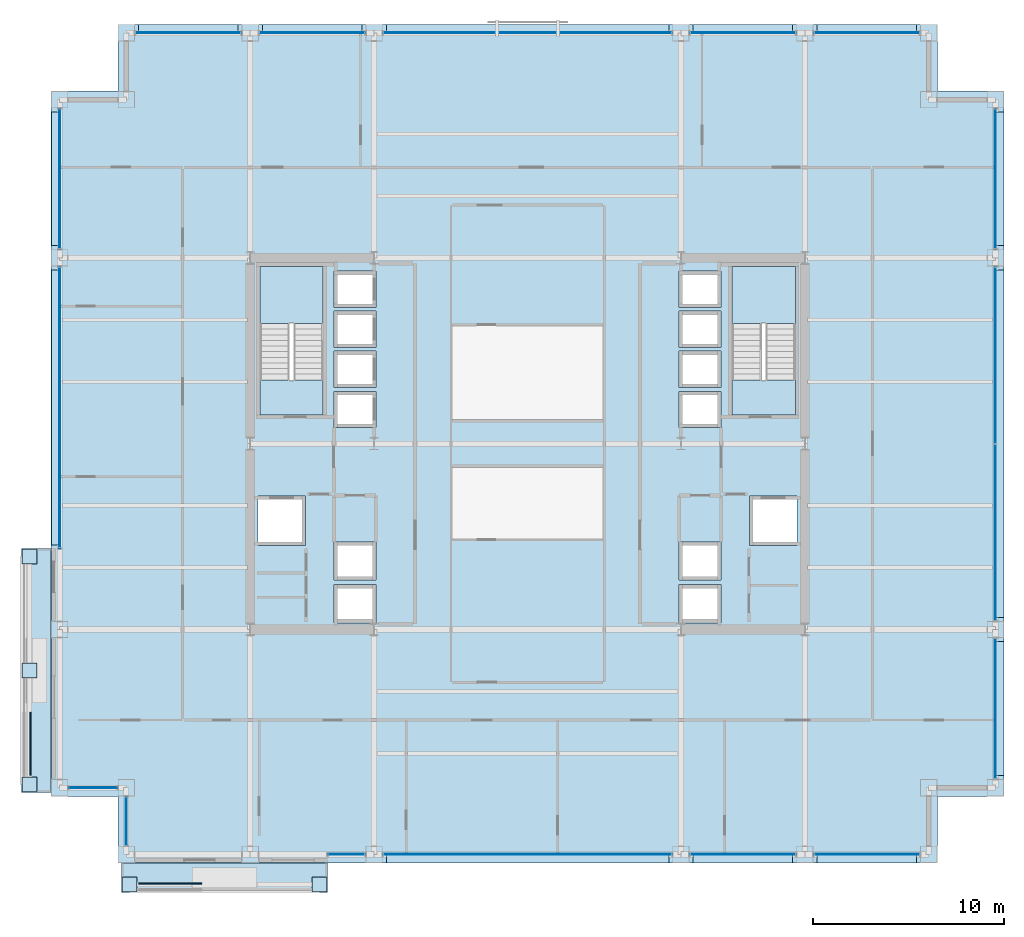
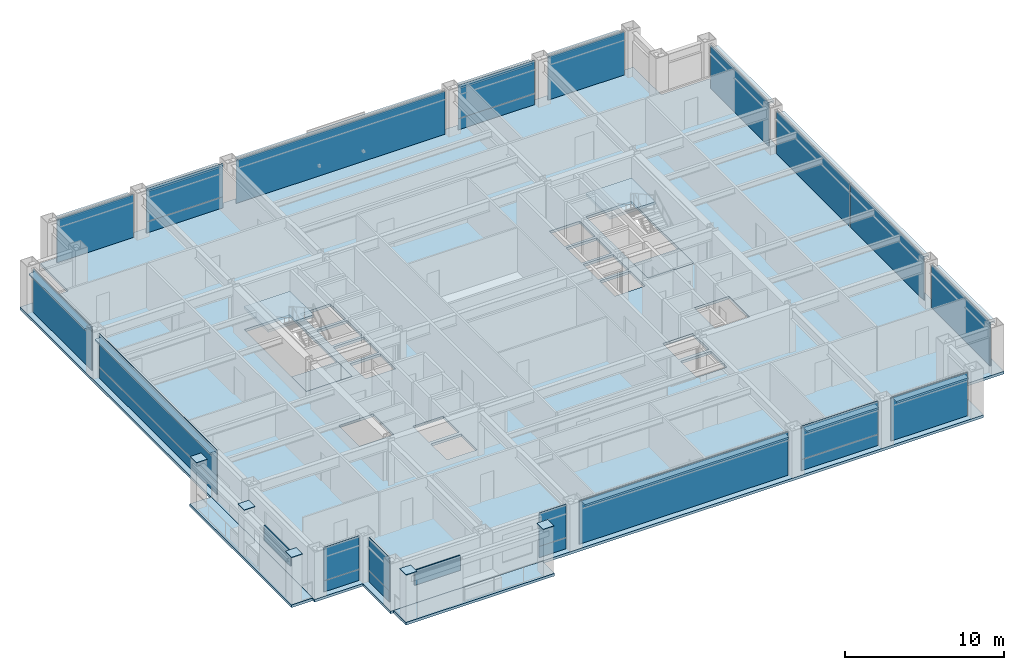
# One storey, part 23 of 30: 44 plates, 7 slabs, 18 elements without a shape of their own.
"""IFC4 building model written with IfcOpenShell, lengths in metres."""

from ifc_helpers import new_model, si_unit, direction, frame, origin, origin_2d, place, context, subcontext, project, spatial, polyline, rectangle, outline, extrude, material, layer, layer_set, type_object, element, aggregate, save


model = new_model("IFC4")

# Units and contexts
model_context = context("Model", 3, precision=1e-05, world=origin(), true_north=direction((0.0, 1.0)))
body_context = subcontext(model_context, "Body", "Model", "MODEL_VIEW")
ifc_project = project(units=[si_unit("LENGTHUNIT", "METRE"), si_unit("AREAUNIT", "SQUARE_METRE"), si_unit("VOLUMEUNIT", "CUBIC_METRE"), si_unit("PLANEANGLEUNIT", "RADIAN"), si_unit("MASSUNIT", "GRAM", prefix="KILO")], contexts=[model_context])

# Site, building, storey
site_placement = place(None, origin())
site = spatial("IfcSite", under=ifc_project, at=site_placement, CompositionType="ELEMENT")
building_placement = place(site_placement, origin())
building = spatial("IfcBuilding", under=site, at=building_placement, Name="Brelmoor Portico Tower", CompositionType="ELEMENT")
storey_placement = place(building_placement, frame((0.0, 0.0, 74.39990234375)))
storey = spatial("IfcBuildingStorey", under=building, at=storey_placement, Name="L19", CompositionType="ELEMENT", Elevation=74.39990234375)

# Plates
ifc_material_1 = material(Name="Steel Q355B", Category="steel")
ifc_layer_1 = layer(ifc_material_1, 0.044921875)
ifc_layer_set_1 = layer_set([ifc_layer_1], Name="Steel Q355B")
plate_type_1 = type_object("IfcPlateType", Name="PT-CAP-650", PredefinedType="SHEET", material=ifc_layer_set_1)
for number, where, z_axis, x_axis, name in (
    (1, (-26.1298828125, -17.8798828125, 3.60009765625), (0.0, 0.0, 1.0), (0.0, 1.0, 0.0), "L19 Proud Picture-Frame Pier PFJ-W1 Welded Head Cap Plate"),
    (2, (-26.1298828125, -5.919921875, 3.60009765625), (0.0, 0.0, 1.0), (0.0, 1.0, 0.0), "L19 Proud Picture-Frame Pier PFJ-W2 Welded Head Cap Plate"),
    (3, (-26.1298828125, -11.89990234375, 3.60009765625), (0.0, 0.0, 1.0), (0.0, 1.0, 0.0), "L19 Proud Picture-Frame Pier PFJ-W3 Welded Head Cap Plate"),
    (4, (-20.8798828125, -23.1298828125, 3.60009765625), (0.0, 0.0, 1.0), (1.0, 0.0, 0.0), "L19 Proud Picture-Frame Pier PFJ-S1 Welded Head Cap Plate"),
    (5, (-10.919921875, -23.1298828125, 3.60009765625), (0.0, 0.0, 1.0), (1.0, 0.0, 0.0), "L19 Proud Picture-Frame Pier PFJ-S2 Welded Head Cap Plate"),
):
    element("IfcPlate", number, at=place(storey_placement, frame(where, z_axis=z_axis, x_axis=x_axis)), inside=storey, type_object=plate_type_1, Name=name, PredefinedType="SHEET", context=body_context, shape_type="SweptSolid", body=[
        extrude(rectangle(XDim=0.7900390625, YDim=0.7900390625, at=origin_2d()), origin(), (0.0, 0.0, 1.0), 0.0400390625),
    ])

# Curtain wall, plate
ifc_material_2 = material(Name="Anodised Aluminium Alloy 6063-T6", Category="aluminium")
ifc_layer_2 = layer(ifc_material_2, 0.179931640625)
ifc_layer_set_2 = layer_set([ifc_layer_2], Name="Anodised Aluminium Alloy 6063-T6")
curtain_wall_type_1 = type_object("IfcCurtainWallType", Name="CW-TOWER-Z1", PredefinedType="NOTDEFINED", material=ifc_layer_set_2)
curtain_wall_1_placement = place(storey_placement, origin())
curtain_wall_1 = element("IfcCurtainWall", 6, at=curtain_wall_1_placement, inside=storey, type_object=curtain_wall_type_1, Name="L19 Curtain Wall CW-L19-1R-1", PredefinedType="NOTDEFINED")
ifc_material_3 = material(Name="Double-Silver Low-E Insulated Glazing", Category="glass")
ifc_layer_3 = layer(ifc_material_3, 0.035888671875)
ifc_layer_set_3 = layer_set([ifc_layer_3], Name="Double-Silver Low-E Insulated Glazing")
plate_type_2 = type_object("IfcPlateType", Name="PT-CW-GLASS", PredefinedType="CURTAIN_PANEL", material=ifc_layer_set_3)
plate_1_placement = place(storey_placement, frame((-9.5048828125, -21.550048828125, 0.85009765625), z_axis=(0.0, 0.0, 1.0), x_axis=(1.0, 0.0, 0.0)))
plate_1 = element("IfcPlate", 7, at=plate_1_placement, type_object=plate_type_2, Name="CW-L19-1R-1 Vision Glass Panel 00", PredefinedType="CURTAIN_PANEL", context=body_context, shape_type="SweptSolid", body=[
    extrude(rectangle(XDim=1.9599609375, YDim=0.035888671875, at=origin_2d()), origin(), (0.0, 0.0, 1.0), 2.550048828125),
])

curtain_wall_2_placement = place(storey_placement, origin())
curtain_wall_2 = element("IfcCurtainWall", 8, at=curtain_wall_2_placement, inside=storey, type_object=curtain_wall_type_1, Name="L19 Curtain Wall CW-L19-1R-3", PredefinedType="NOTDEFINED")
plate_2_placement = place(storey_placement, frame((11.300048828125, -21.550048828125, 0.85009765625), z_axis=(0.0, 0.0, 1.0), x_axis=(1.0, 0.0, 0.0)))
plate_2 = element("IfcPlate", 9, at=plate_2_placement, type_object=plate_type_2, Name="CW-L19-1R-3 Vision Glass Panel 00", PredefinedType="CURTAIN_PANEL", context=body_context, shape_type="SweptSolid", body=[
    extrude(rectangle(XDim=5.550048828125, YDim=0.035888671875, at=origin_2d()), origin(), (0.0, 0.0, 1.0), 2.550048828125),
])

curtain_wall_3_placement = place(storey_placement, origin())
curtain_wall_3 = element("IfcCurtainWall", 10, at=curtain_wall_3_placement, inside=storey, type_object=curtain_wall_type_1, Name="L19 Curtain Wall CW-L19-02-2", PredefinedType="NOTDEFINED")
plate_3_placement = place(storey_placement, frame((-11.300048828125, 21.550048828125, 0.85009765625), z_axis=(0.0, 0.0, 1.0), x_axis=(1.0, 0.0, 0.0)))
plate_3 = element("IfcPlate", 11, at=plate_3_placement, type_object=plate_type_2, Name="CW-L19-02-2 Vision Glass Panel 00", PredefinedType="CURTAIN_PANEL", context=body_context, shape_type="SweptSolid", body=[
    extrude(rectangle(XDim=5.550048828125, YDim=0.035888671875, at=origin_2d()), origin(), (0.0, 0.0, 1.0), 2.550048828125),
])

curtain_wall_4_placement = place(storey_placement, origin())
curtain_wall_4 = element("IfcCurtainWall", 12, at=curtain_wall_4_placement, inside=storey, type_object=curtain_wall_type_1, Name="L19 Curtain Wall CW-L19-02-4", PredefinedType="NOTDEFINED")
plate_4_placement = place(storey_placement, frame((11.300048828125, 21.550048828125, 0.85009765625), z_axis=(0.0, 0.0, 1.0), x_axis=(1.0, 0.0, 0.0)))
plate_4 = element("IfcPlate", 13, at=plate_4_placement, type_object=plate_type_2, Name="CW-L19-02-4 Vision Glass Panel 00", PredefinedType="CURTAIN_PANEL", context=body_context, shape_type="SweptSolid", body=[
    extrude(rectangle(XDim=5.550048828125, YDim=0.035888671875, at=origin_2d()), origin(), (0.0, 0.0, 1.0), 2.550048828125),
])

curtain_wall_5_placement = place(storey_placement, origin())
curtain_wall_5 = element("IfcCurtainWall", 14, at=curtain_wall_5_placement, inside=storey, type_object=curtain_wall_type_1, Name="L19 Curtain Wall CW-L19-3R-1", PredefinedType="NOTDEFINED")
plate_5_placement = place(storey_placement, frame((-24.550048828125, 1.89501953125, 0.85009765625), z_axis=(0.0, 0.0, 1.0), x_axis=(0.0, 1.0, 0.0)))
plate_5 = element("IfcPlate", 15, at=plate_5_placement, type_object=plate_type_2, Name="CW-L19-3R-1 Vision Glass Panel 00", PredefinedType="CURTAIN_PANEL", context=body_context, shape_type="SweptSolid", body=[
    extrude(rectangle(XDim=14.760009765625, YDim=0.035888671875, at=origin_2d()), origin(), (0.0, 0.0, 1.0), 2.550048828125),
])

ifc_layer_4 = layer(ifc_material_2, 0.179931640625)
ifc_layer_set_4 = layer_set([ifc_layer_4], Name="Anodised Aluminium Alloy 6063-T6")
curtain_wall_type_2 = type_object("IfcCurtainWallType", Name="CW-NOTCH-CHAMFER", PredefinedType="NOTDEFINED", material=ifc_layer_set_4)
curtain_wall_6_placement = place(storey_placement, origin())
curtain_wall_6 = element("IfcCurtainWall", 16, at=curtain_wall_6_placement, inside=storey, type_object=curtain_wall_type_2, Name="L19 Curtain Wall CWN-L19-SWH", PredefinedType="NOTDEFINED")
plate_6_placement = place(storey_placement, frame((-22.800048828125, -18.050048828125, 0.85009765625), z_axis=(0.0, 0.0, 1.0), x_axis=(1.0, 0.0, 0.0)))
plate_6 = element("IfcPlate", 17, at=plate_6_placement, type_object=plate_type_2, Name="CWN-L19-SWH Vision Glass Panel 00", PredefinedType="CURTAIN_PANEL", context=body_context, shape_type="SweptSolid", body=[
    extrude(rectangle(XDim=2.550048828125, YDim=0.035888671875, at=origin_2d()), origin(), (0.0, 0.0, 1.0), 2.550048828125),
])

curtain_wall_7_placement = place(storey_placement, origin())
curtain_wall_7 = element("IfcCurtainWall", 18, at=curtain_wall_7_placement, inside=storey, type_object=curtain_wall_type_2, Name="L19 Curtain Wall CWN-L19-SWV", PredefinedType="NOTDEFINED")
plate_7_placement = place(storey_placement, frame((-21.050048828125, -19.800048828125, 0.85009765625), z_axis=(0.0, 0.0, 1.0), x_axis=(0.0, 1.0, 0.0)))
plate_7 = element("IfcPlate", 19, at=plate_7_placement, type_object=plate_type_2, Name="CWN-L19-SWV Vision Glass Panel 00", PredefinedType="CURTAIN_PANEL", context=body_context, shape_type="SweptSolid", body=[
    extrude(rectangle(XDim=2.550048828125, YDim=0.035888671875, at=origin_2d()), origin(), (0.0, 0.0, 1.0), 2.550048828125),
])

# Plate
ifc_material_4 = material(Name="Pale Champagne Anodised Aluminium Panel", Category="aluminium")
ifc_layer_5 = layer(ifc_material_4, 0.050048828125)
ifc_layer_set_5 = layer_set([ifc_layer_5], Name="Pale Champagne Anodised Aluminium Panel")
plate_type_3 = type_object("IfcPlateType", Name="PT-CW-SPANDREL", PredefinedType="SHEET", material=ifc_layer_set_5)
plate_8_placement = place(storey_placement, frame((-9.5048828125, -21.550048828125, 0.0), z_axis=(0.0, 0.0, 1.0), x_axis=(1.0, 0.0, 0.0)))
plate_8 = element("IfcPlate", 20, at=plate_8_placement, type_object=plate_type_3, Name="CW-L19-1R-1 Spandrel Panel 00", PredefinedType="SHEET", context=body_context, shape_type="SweptSolid", body=[
    extrude(rectangle(XDim=1.9599609375, YDim=0.050048828125, at=origin_2d()), origin(), (0.0, 0.0, 1.0), 0.85009765625),
])

aggregate(curtain_wall_1, [plate_8, plate_1])

# Curtain wall, plate
ifc_layer_6 = layer(ifc_material_2, 0.179931640625)
ifc_layer_set_6 = layer_set([ifc_layer_6], Name="Anodised Aluminium Alloy 6063-T6")
curtain_wall_type_3 = type_object("IfcCurtainWallType", Name="CW-TOWER-Z1-XB", PredefinedType="NOTDEFINED", material=ifc_layer_set_6)
curtain_wall_8_placement = place(storey_placement, origin())
curtain_wall_8 = element("IfcCurtainWall", 21, at=curtain_wall_8_placement, inside=storey, type_object=curtain_wall_type_3, Name="L19 Curtain Wall CW-L19-1R-2", PredefinedType="NOTDEFINED")
plate_9_placement = place(storey_placement, frame((0.0, -21.550048828125, 0.0), z_axis=(0.0, 0.0, 1.0), x_axis=(1.0, 0.0, 0.0)))
plate_9 = element("IfcPlate", 22, at=plate_9_placement, type_object=plate_type_3, Name="CW-L19-1R-2 Spandrel Panel 00", PredefinedType="SHEET", context=body_context, shape_type="SweptSolid", body=[
    extrude(rectangle(XDim=15.14990234375, YDim=0.050048828125, at=origin_2d()), origin(), (0.0, 0.0, 1.0), 3.330078125),
])
aggregate(curtain_wall_8, [plate_9])

# Plate
plate_10_placement = place(storey_placement, frame((11.300048828125, -21.550048828125, 0.0), z_axis=(0.0, 0.0, 1.0), x_axis=(1.0, 0.0, 0.0)))
plate_10 = element("IfcPlate", 23, at=plate_10_placement, type_object=plate_type_3, Name="CW-L19-1R-3 Spandrel Panel 00", PredefinedType="SHEET", context=body_context, shape_type="SweptSolid", body=[
    extrude(rectangle(XDim=5.550048828125, YDim=0.050048828125, at=origin_2d()), origin(), (0.0, 0.0, 1.0), 0.85009765625),
])

aggregate(curtain_wall_2, [plate_10, plate_2])

# Curtain wall, plate
curtain_wall_9_placement = place(storey_placement, origin())
curtain_wall_9 = element("IfcCurtainWall", 24, at=curtain_wall_9_placement, inside=storey, type_object=curtain_wall_type_3, Name="L19 Curtain Wall CW-L19-1R-4", PredefinedType="NOTDEFINED")
plate_11_placement = place(storey_placement, frame((17.800048828125, -21.550048828125, 0.0), z_axis=(0.0, 0.0, 1.0), x_axis=(1.0, 0.0, 0.0)))
plate_11 = element("IfcPlate", 25, at=plate_11_placement, type_object=plate_type_3, Name="CW-L19-1R-4 Spandrel Panel 00", PredefinedType="SHEET", context=body_context, shape_type="SweptSolid", body=[
    extrude(rectangle(XDim=5.550048828125, YDim=0.050048828125, at=origin_2d()), origin(), (0.0, 0.0, 1.0), 3.330078125),
])
aggregate(curtain_wall_9, [plate_11])

curtain_wall_10_placement = place(storey_placement, origin())
curtain_wall_10 = element("IfcCurtainWall", 26, at=curtain_wall_10_placement, inside=storey, type_object=curtain_wall_type_3, Name="L19 Curtain Wall CW-L19-02-1", PredefinedType="NOTDEFINED")
plate_12_placement = place(storey_placement, frame((-17.800048828125, 21.550048828125, 0.0), z_axis=(0.0, 0.0, 1.0), x_axis=(1.0, 0.0, 0.0)))
plate_12 = element("IfcPlate", 27, at=plate_12_placement, type_object=plate_type_3, Name="CW-L19-02-1 Spandrel Panel 00", PredefinedType="SHEET", context=body_context, shape_type="SweptSolid", body=[
    extrude(rectangle(XDim=5.550048828125, YDim=0.050048828125, at=origin_2d()), origin(), (0.0, 0.0, 1.0), 3.330078125),
])
aggregate(curtain_wall_10, [plate_12])

# Plate
plate_13_placement = place(storey_placement, frame((-11.300048828125, 21.550048828125, 0.0), z_axis=(0.0, 0.0, 1.0), x_axis=(1.0, 0.0, 0.0)))
plate_13 = element("IfcPlate", 28, at=plate_13_placement, type_object=plate_type_3, Name="CW-L19-02-2 Spandrel Panel 00", PredefinedType="SHEET", context=body_context, shape_type="SweptSolid", body=[
    extrude(rectangle(XDim=5.550048828125, YDim=0.050048828125, at=origin_2d()), origin(), (0.0, 0.0, 1.0), 0.85009765625),
])

aggregate(curtain_wall_3, [plate_13, plate_3])

# Curtain wall, plate
curtain_wall_11_placement = place(storey_placement, origin())
curtain_wall_11 = element("IfcCurtainWall", 29, at=curtain_wall_11_placement, inside=storey, type_object=curtain_wall_type_3, Name="L19 Curtain Wall CW-L19-02-3", PredefinedType="NOTDEFINED")
plate_14_placement = place(storey_placement, frame((0.0, 21.550048828125, 0.0), z_axis=(0.0, 0.0, 1.0), x_axis=(1.0, 0.0, 0.0)))
plate_14 = element("IfcPlate", 30, at=plate_14_placement, type_object=plate_type_3, Name="CW-L19-02-3 Spandrel Panel 00", PredefinedType="SHEET", context=body_context, shape_type="SweptSolid", body=[
    extrude(rectangle(XDim=15.14990234375, YDim=0.050048828125, at=origin_2d()), origin(), (0.0, 0.0, 1.0), 3.330078125),
])
aggregate(curtain_wall_11, [plate_14])

# Plate
plate_15_placement = place(storey_placement, frame((11.300048828125, 21.550048828125, 0.0), z_axis=(0.0, 0.0, 1.0), x_axis=(1.0, 0.0, 0.0)))
plate_15 = element("IfcPlate", 31, at=plate_15_placement, type_object=plate_type_3, Name="CW-L19-02-4 Spandrel Panel 00", PredefinedType="SHEET", context=body_context, shape_type="SweptSolid", body=[
    extrude(rectangle(XDim=5.550048828125, YDim=0.050048828125, at=origin_2d()), origin(), (0.0, 0.0, 1.0), 0.85009765625),
])

aggregate(curtain_wall_4, [plate_15, plate_4])

# Curtain wall, plate
curtain_wall_12_placement = place(storey_placement, origin())
curtain_wall_12 = element("IfcCurtainWall", 32, at=curtain_wall_12_placement, inside=storey, type_object=curtain_wall_type_3, Name="L19 Curtain Wall CW-L19-02-5", PredefinedType="NOTDEFINED")
plate_16_placement = place(storey_placement, frame((17.800048828125, 21.550048828125, 0.0), z_axis=(0.0, 0.0, 1.0), x_axis=(1.0, 0.0, 0.0)))
plate_16 = element("IfcPlate", 33, at=plate_16_placement, type_object=plate_type_3, Name="CW-L19-02-5 Spandrel Panel 00", PredefinedType="SHEET", context=body_context, shape_type="SweptSolid", body=[
    extrude(rectangle(XDim=5.550048828125, YDim=0.050048828125, at=origin_2d()), origin(), (0.0, 0.0, 1.0), 3.330078125),
])
aggregate(curtain_wall_12, [plate_16])

# Plate
plate_17_placement = place(storey_placement, frame((-24.550048828125, 1.89501953125, 0.0), z_axis=(0.0, 0.0, 1.0), x_axis=(0.0, 1.0, 0.0)))
plate_17 = element("IfcPlate", 34, at=plate_17_placement, type_object=plate_type_3, Name="CW-L19-3R-1 Spandrel Panel 00", PredefinedType="SHEET", context=body_context, shape_type="SweptSolid", body=[
    extrude(rectangle(XDim=14.760009765625, YDim=0.050048828125, at=origin_2d()), origin(), (0.0, 0.0, 1.0), 0.85009765625),
])

aggregate(curtain_wall_5, [plate_17, plate_5])

# Curtain wall, plate
curtain_wall_13_placement = place(storey_placement, origin())
curtain_wall_13 = element("IfcCurtainWall", 35, at=curtain_wall_13_placement, inside=storey, type_object=curtain_wall_type_3, Name="L19 Curtain Wall CW-L19-3R-2", PredefinedType="NOTDEFINED")
plate_18_placement = place(storey_placement, frame((-24.550048828125, 13.89990234375, 0.0), z_axis=(0.0, 0.0, 1.0), x_axis=(0.0, 1.0, 0.0)))
plate_18 = element("IfcPlate", 36, at=plate_18_placement, type_object=plate_type_3, Name="CW-L19-3R-2 Spandrel Panel 00", PredefinedType="SHEET", context=body_context, shape_type="SweptSolid", body=[
    extrude(rectangle(XDim=7.35009765625, YDim=0.050048828125, at=origin_2d()), origin(), (0.0, 0.0, 1.0), 3.330078125),
])
aggregate(curtain_wall_13, [plate_18])

curtain_wall_14_placement = place(storey_placement, origin())
curtain_wall_14 = element("IfcCurtainWall", 37, at=curtain_wall_14_placement, inside=storey, type_object=curtain_wall_type_3, Name="L19 Curtain Wall CW-L19-04-1", PredefinedType="NOTDEFINED")
plate_19_placement = place(storey_placement, frame((24.550048828125, -13.89990234375, 0.0), z_axis=(0.0, 0.0, 1.0), x_axis=(0.0, 1.0, 0.0)))
plate_19 = element("IfcPlate", 38, at=plate_19_placement, type_object=plate_type_3, Name="CW-L19-04-1 Spandrel Panel 00", PredefinedType="SHEET", context=body_context, shape_type="SweptSolid", body=[
    extrude(rectangle(XDim=7.35009765625, YDim=0.050048828125, at=origin_2d()), origin(), (0.0, 0.0, 1.0), 3.330078125),
])
aggregate(curtain_wall_14, [plate_19])

# Curtain wall, plates
curtain_wall_15_placement = place(storey_placement, origin())
curtain_wall_15 = element("IfcCurtainWall", 39, at=curtain_wall_15_placement, inside=storey, type_object=curtain_wall_type_3, Name="L19 Curtain Wall CW-L19-04-2", PredefinedType="NOTDEFINED")
plate_20_placement = place(storey_placement, frame((24.550048828125, -4.64501953125, 0.0), z_axis=(0.0, 0.0, 1.0), x_axis=(0.0, 1.0, 0.0)))
plate_20 = element("IfcPlate", 40, at=plate_20_placement, type_object=plate_type_3, Name="CW-L19-04-2 Spandrel Panel 00", PredefinedType="SHEET", context=body_context, shape_type="SweptSolid", body=[
    extrude(rectangle(XDim=9.260009765625, YDim=0.050048828125, at=origin_2d()), origin(), (0.0, 0.0, 1.0), 3.330078125),
])
plate_21_placement = place(storey_placement, frame((24.550048828125, 4.64501953125, 0.0), z_axis=(0.0, 0.0, 1.0), x_axis=(0.0, 1.0, 0.0)))
plate_21 = element("IfcPlate", 41, at=plate_21_placement, type_object=plate_type_3, Name="CW-L19-04-2 Spandrel Panel 01", PredefinedType="SHEET", context=body_context, shape_type="SweptSolid", body=[
    extrude(rectangle(XDim=9.260009765625, YDim=0.050048828125, at=origin_2d()), origin(), (0.0, 0.0, 1.0), 3.330078125),
])
aggregate(curtain_wall_15, [plate_20, plate_21])

# Curtain wall, plate
curtain_wall_16_placement = place(storey_placement, origin())
curtain_wall_16 = element("IfcCurtainWall", 42, at=curtain_wall_16_placement, inside=storey, type_object=curtain_wall_type_3, Name="L19 Curtain Wall CW-L19-04-3", PredefinedType="NOTDEFINED")
plate_22_placement = place(storey_placement, frame((24.550048828125, 13.89990234375, 0.0), z_axis=(0.0, 0.0, 1.0), x_axis=(0.0, 1.0, 0.0)))
plate_22 = element("IfcPlate", 43, at=plate_22_placement, type_object=plate_type_3, Name="CW-L19-04-3 Spandrel Panel 00", PredefinedType="SHEET", context=body_context, shape_type="SweptSolid", body=[
    extrude(rectangle(XDim=7.35009765625, YDim=0.050048828125, at=origin_2d()), origin(), (0.0, 0.0, 1.0), 3.330078125),
])
aggregate(curtain_wall_16, [plate_22])

# Plate
plate_23_placement = place(storey_placement, frame((-22.800048828125, -18.050048828125, 0.0), z_axis=(0.0, 0.0, 1.0), x_axis=(1.0, 0.0, 0.0)))
plate_23 = element("IfcPlate", 44, at=plate_23_placement, type_object=plate_type_3, Name="CWN-L19-SWH Spandrel Panel 00", PredefinedType="SHEET", context=body_context, shape_type="SweptSolid", body=[
    extrude(rectangle(XDim=2.550048828125, YDim=0.050048828125, at=origin_2d()), origin(), (0.0, 0.0, 1.0), 0.85009765625),
])

aggregate(curtain_wall_6, [plate_23, plate_6])

plate_24_placement = place(storey_placement, frame((-21.050048828125, -19.800048828125, 0.0), z_axis=(0.0, 0.0, 1.0), x_axis=(0.0, 1.0, 0.0)))
plate_24 = element("IfcPlate", 45, at=plate_24_placement, type_object=plate_type_3, Name="CWN-L19-SWV Spandrel Panel 00", PredefinedType="SHEET", context=body_context, shape_type="SweptSolid", body=[
    extrude(rectangle(XDim=2.550048828125, YDim=0.050048828125, at=origin_2d()), origin(), (0.0, 0.0, 1.0), 0.85009765625),
])

aggregate(curtain_wall_7, [plate_24, plate_7])

# Plates
ifc_material_5 = material(Name="Powder-Coated Aluminium Shuttered Jalousie Louvre", Category="aluminium")
ifc_layer_7 = layer(ifc_material_5, 0.06005859375)
ifc_layer_set_7 = layer_set([ifc_layer_7], Name="Powder-Coated Aluminium Shuttered Jalousie Louvre")
plate_type_4 = type_object("IfcPlateType", Name="PT-JALOUSIE-SHUTTER", PredefinedType="SHEET", material=ifc_layer_set_7)
for number, where, z_axis, x_axis, name in (
    (46, (-18.75, -23.080078125, 2.275146484375), (0.0, 0.0, 1.0), (1.0, 0.0, 0.0), "L19 Shuttered Veranda Screen S"),
    (47, (-26.080078125, -15.75, 2.275146484375), (0.0, 0.0, 1.0), (0.0, 1.0, 0.0), "L19 Shuttered Veranda Screen W"),
):
    element("IfcPlate", number, at=place(storey_placement, frame(where, z_axis=z_axis, x_axis=x_axis)), inside=storey, type_object=plate_type_4, Name=name, PredefinedType="SHEET", context=body_context, shape_type="SweptSolid", body=[
        extrude(rectangle(XDim=3.300048828125, YDim=0.080078125, at=origin_2d()), origin(), (0.0, 0.0, 1.0), 1.14990234375),
    ])
ifc_material_6 = material(Name="Pale Champagne Perforated Aluminium Solar Screen", Category="aluminium")
ifc_layer_8 = layer(ifc_material_6, 0.054931640625)
ifc_layer_set_8 = layer_set([ifc_layer_8], Name="Pale Champagne Perforated Aluminium Solar Screen")
plate_type_5 = type_object("IfcPlateType", Name="PT-SOLAR-LOUVRE", PredefinedType="SHEET", material=ifc_layer_set_8)
plate_25_placement = place(storey_placement, frame((0.0, -21.760009765625, 3.09033203125), z_axis=(0.0, 0.0, 1.0), x_axis=(1.0, 0.0, 0.0)))
element("IfcPlate", 48, at=plate_25_placement, inside=storey, type_object=plate_type_5, Name="CW-L19-1R-2 Caribbean Brise-Soleil Solar Screen", PredefinedType="SHEET", context=body_context, shape_type="SweptSolid", body=[
    extrude(rectangle(XDim=14.820068359375, YDim=0.4599609375, at=origin_2d()), origin(), (0.0, 0.0, 1.0), 0.139892578125),
])
for number, where, z_axis, x_axis, name in (
    (49, (11.300048828125, -21.760009765625, 3.09033203125), (0.0, 0.0, 1.0), (1.0, 0.0, 0.0), "CW-L19-1R-3 Caribbean Brise-Soleil Solar Screen"),
    (50, (17.800048828125, -21.760009765625, 3.09033203125), (0.0, 0.0, 1.0), (1.0, 0.0, 0.0), "CW-L19-1R-4 Caribbean Brise-Soleil Solar Screen"),
    (51, (-17.800048828125, 21.760009765625, 3.09033203125), (0.0, 0.0, 1.0), (1.0, 0.0, 0.0), "CW-L19-02-1 Caribbean Brise-Soleil Solar Screen"),
    (52, (-11.300048828125, 21.760009765625, 3.09033203125), (0.0, 0.0, 1.0), (1.0, 0.0, 0.0), "CW-L19-02-2 Caribbean Brise-Soleil Solar Screen"),
):
    element("IfcPlate", number, at=place(storey_placement, frame(where, z_axis=z_axis, x_axis=x_axis)), inside=storey, type_object=plate_type_5, Name=name, PredefinedType="SHEET", context=body_context, shape_type="SweptSolid", body=[
        extrude(rectangle(XDim=5.219970703125, YDim=0.4599609375, at=origin_2d()), origin(), (0.0, 0.0, 1.0), 0.139892578125),
    ])
plate_26_placement = place(storey_placement, frame((0.0, 21.760009765625, 3.09033203125), z_axis=(0.0, 0.0, 1.0), x_axis=(1.0, 0.0, 0.0)))
element("IfcPlate", 53, at=plate_26_placement, inside=storey, type_object=plate_type_5, Name="CW-L19-02-3 Caribbean Brise-Soleil Solar Screen", PredefinedType="SHEET", context=body_context, shape_type="SweptSolid", body=[
    extrude(rectangle(XDim=14.820068359375, YDim=0.4599609375, at=origin_2d()), origin(), (0.0, 0.0, 1.0), 0.139892578125),
])
for number, where, z_axis, x_axis, name in (
    (54, (11.300048828125, 21.760009765625, 3.09033203125), (0.0, 0.0, 1.0), (1.0, 0.0, 0.0), "CW-L19-02-4 Caribbean Brise-Soleil Solar Screen"),
    (55, (17.800048828125, 21.760009765625, 3.09033203125), (0.0, 0.0, 1.0), (1.0, 0.0, 0.0), "CW-L19-02-5 Caribbean Brise-Soleil Solar Screen"),
):
    element("IfcPlate", number, at=place(storey_placement, frame(where, z_axis=z_axis, x_axis=x_axis)), inside=storey, type_object=plate_type_5, Name=name, PredefinedType="SHEET", context=body_context, shape_type="SweptSolid", body=[
        extrude(rectangle(XDim=5.219970703125, YDim=0.4599609375, at=origin_2d()), origin(), (0.0, 0.0, 1.0), 0.139892578125),
    ])
plate_27_placement = place(storey_placement, frame((-24.760009765625, 1.89501953125, 3.09033203125), z_axis=(0.0, 0.0, 1.0), x_axis=(0.0, 1.0, 0.0)))
element("IfcPlate", 56, at=plate_27_placement, inside=storey, type_object=plate_type_5, Name="CW-L19-3R-1 Caribbean Brise-Soleil Solar Screen", PredefinedType="SHEET", context=body_context, shape_type="SweptSolid", body=[
    extrude(rectangle(XDim=14.429931640625, YDim=0.4599609375, at=origin_2d()), origin(), (0.0, 0.0, 1.0), 0.139892578125),
])
for number, where, z_axis, x_axis, name in (
    (57, (-24.760009765625, 13.89990234375, 3.09033203125), (0.0, 0.0, 1.0), (0.0, 1.0, 0.0), "CW-L19-3R-2 Caribbean Brise-Soleil Solar Screen"),
    (58, (24.760009765625, -13.89990234375, 3.09033203125), (0.0, 0.0, 1.0), (0.0, 1.0, 0.0), "CW-L19-04-1 Caribbean Brise-Soleil Solar Screen"),
):
    element("IfcPlate", number, at=place(storey_placement, frame(where, z_axis=z_axis, x_axis=x_axis)), inside=storey, type_object=plate_type_5, Name=name, PredefinedType="SHEET", context=body_context, shape_type="SweptSolid", body=[
        extrude(rectangle(XDim=7.02001953125, YDim=0.4599609375, at=origin_2d()), origin(), (0.0, 0.0, 1.0), 0.139892578125),
    ])
plate_28_placement = place(storey_placement, frame((24.760009765625, 0.0, 3.09033203125), z_axis=(0.0, 0.0, 1.0), x_axis=(0.0, 1.0, 0.0)))
element("IfcPlate", 59, at=plate_28_placement, inside=storey, type_object=plate_type_5, Name="CW-L19-04-2 Caribbean Brise-Soleil Solar Screen", PredefinedType="SHEET", context=body_context, shape_type="SweptSolid", body=[
    extrude(rectangle(XDim=18.219970703125, YDim=0.4599609375, at=origin_2d()), origin(), (0.0, 0.0, 1.0), 0.139892578125),
])
plate_29_placement = place(storey_placement, frame((24.760009765625, 13.89990234375, 3.09033203125), z_axis=(0.0, 0.0, 1.0), x_axis=(0.0, 1.0, 0.0)))
element("IfcPlate", 60, at=plate_29_placement, inside=storey, type_object=plate_type_5, Name="CW-L19-04-3 Caribbean Brise-Soleil Solar Screen", PredefinedType="SHEET", context=body_context, shape_type="SweptSolid", body=[
    extrude(rectangle(XDim=7.02001953125, YDim=0.4599609375, at=origin_2d()), origin(), (0.0, 0.0, 1.0), 0.139892578125),
])

# Slabs
ifc_material_7 = material(Name="Concrete C40", Category="concrete")
ifc_layer_9 = layer(ifc_material_7, 0.199951171875)
ifc_layer_set_9 = layer_set([ifc_layer_9], Name="Concrete C40")
slab_type_1 = type_object("IfcSlabType", Name="SL-BALCONY-200", PredefinedType="FLOOR", material=ifc_layer_set_9)
slab_1_placement = place(storey_placement, frame((0.0, 0.0, -0.199951171875)))
element("IfcSlab", 61, at=slab_1_placement, inside=storey, type_object=slab_type_1, Name="L19 Loggia Tree Balcony Slab W", PredefinedType="FLOOR", context=body_context, shape_type="SweptSolid", body=[
    extrude(outline(polyline([(-26.550048828125, -18.300048828125), (-25.0, -18.300048828125), (-25.0, -5.5), (-26.550048828125, -5.5), (-26.550048828125, -18.300048828125)])), origin(), (0.0, 0.0, 1.0), 0.199951171875),
])
slab_2_placement = place(storey_placement, frame((0.0, 0.0, -0.199951171875)))
element("IfcSlab", 62, at=slab_2_placement, inside=storey, type_object=slab_type_1, Name="L19 Loggia Tree Balcony Slab S", PredefinedType="FLOOR", context=body_context, shape_type="SweptSolid", body=[
    extrude(outline(polyline([(-21.300048828125, -23.550048828125), (-10.5, -23.550048828125), (-10.5, -22.0), (-21.300048828125, -22.0), (-21.300048828125, -23.550048828125)])), origin(), (0.0, 0.0, 1.0), 0.199951171875),
])
ifc_layer_10 = layer(ifc_material_7, 0.199951171875)
ifc_layer_set_10 = layer_set([ifc_layer_10], Name="Concrete C40")
slab_type_2 = type_object("IfcSlabType", Name="SL-FLOOR-200", PredefinedType="FLOOR", material=ifc_layer_set_10)
slab_3_placement = place(storey_placement, frame((0.0, 0.0, -0.199951171875)))
element("IfcSlab", 63, at=slab_3_placement, inside=storey, type_object=slab_type_2, Name="L19 Main Structural Floor Slab", PredefinedType="FLOOR", context=body_context, shape_type="SweptSolid", body=[
    extrude(outline(polyline([(-21.5, -22.0), (21.5, -22.0), (21.5, -18.5), (25.0, -18.5), (25.0, 18.5), (21.5, 18.5), (21.5, 22.0), (-21.5, 22.0), (-21.5, 18.5), (-25.0, 18.5), (-25.0, -18.5), (-21.5, -18.5), (-21.5, -22.0)]), holes=[polyline([(-10.72998046875, 1.5), (-10.72998046875, 9.300048828125), (-14.050048828125, 9.300048828125), (-14.050048828125, 1.5), (-10.72998046875, 1.5)]), polyline([(14.050048828125, 1.5), (14.050048828125, 9.300048828125), (10.72998046875, 9.300048828125), (10.72998046875, 1.5), (14.050048828125, 1.5)]), polyline([(-10.14990234375, 0.85009765625), (-7.949951171875, 0.85009765625), (-7.949951171875, 2.75), (-10.14990234375, 2.75), (-10.14990234375, 0.85009765625)]), polyline([(-10.14990234375, 2.949951171875), (-7.949951171875, 2.949951171875), (-7.949951171875, 4.85009765625), (-10.14990234375, 4.85009765625), (-10.14990234375, 2.949951171875)]), polyline([(-10.14990234375, 5.050048828125), (-7.949951171875, 5.050048828125), (-7.949951171875, 6.949951171875), (-10.14990234375, 6.949951171875), (-10.14990234375, 5.050048828125)]), polyline([(-10.14990234375, 7.14990234375), (-7.949951171875, 7.14990234375), (-7.949951171875, 9.050048828125), (-10.14990234375, 9.050048828125), (-10.14990234375, 7.14990234375)]), polyline([(7.949951171875, 0.85009765625), (10.14990234375, 0.85009765625), (10.14990234375, 2.75), (7.949951171875, 2.75), (7.949951171875, 0.85009765625)]), polyline([(7.949951171875, 2.949951171875), (10.14990234375, 2.949951171875), (10.14990234375, 4.85009765625), (7.949951171875, 4.85009765625), (7.949951171875, 2.949951171875)]), polyline([(7.949951171875, 5.050048828125), (10.14990234375, 5.050048828125), (10.14990234375, 6.949951171875), (7.949951171875, 6.949951171875), (7.949951171875, 5.050048828125)]), polyline([(7.949951171875, 7.14990234375), (10.14990234375, 7.14990234375), (10.14990234375, 9.050048828125), (7.949951171875, 9.050048828125), (7.949951171875, 7.14990234375)]), polyline([(-10.14990234375, -9.39990234375), (-7.949951171875, -9.39990234375), (-7.949951171875, -7.39990234375), (-10.14990234375, -7.39990234375), (-10.14990234375, -9.39990234375)]), polyline([(-10.14990234375, -7.14990234375), (-7.949951171875, -7.14990234375), (-7.949951171875, -5.14990234375), (-10.14990234375, -5.14990234375), (-10.14990234375, -7.14990234375)]), polyline([(7.949951171875, -9.39990234375), (10.14990234375, -9.39990234375), (10.14990234375, -7.39990234375), (7.949951171875, -7.39990234375), (7.949951171875, -9.39990234375)]), polyline([(7.949951171875, -7.14990234375), (10.14990234375, -7.14990234375), (10.14990234375, -5.14990234375), (7.949951171875, -5.14990234375), (7.949951171875, -7.14990234375)]), polyline([(-14.14990234375, -5.35009765625), (-11.64990234375, -5.35009765625), (-11.64990234375, -2.75), (-14.14990234375, -2.75), (-14.14990234375, -5.35009765625)]), polyline([(11.64990234375, -5.35009765625), (14.14990234375, -5.35009765625), (14.14990234375, -2.75), (11.64990234375, -2.75), (11.64990234375, -5.35009765625)])]), origin(), (0.0, 0.0, 1.0), 0.199951171875),
])

# Stair, slab
stair_type_1 = type_object("IfcStairType", Name="ST-CORE-W", PredefinedType="HALF_TURN_STAIR", material=ifc_material_7)
stair_1_placement = place(storey_placement, origin())
stair_1 = element("IfcStair", 64, at=stair_1_placement, inside=storey, type_object=stair_type_1, Name="L19 Protected Core Exit Stair ST-W", PredefinedType="HALF_TURN_STAIR")
ifc_layer_11 = layer(ifc_material_7, 0.179931640625)
ifc_layer_set_11 = layer_set([ifc_layer_11], Name="Concrete C40")
slab_type_3 = type_object("IfcSlabType", Name="SL-LANDING-180", PredefinedType="LANDING", material=ifc_layer_set_11)
slab_4_placement = place(storey_placement, frame((0.0, 0.0, 1.60009765625)))
slab_4 = element("IfcSlab", 65, at=slab_4_placement, type_object=slab_type_3, Name="ST-W landing 1", PredefinedType="LANDING", context=body_context, shape_type="SweptSolid", body=[
    extrude(outline(polyline([(-10.72998046875, 6.300048828125), (-10.72998046875, 9.300048828125), (-14.050048828125, 9.300048828125), (-14.050048828125, 6.300048828125), (-10.72998046875, 6.300048828125)])), origin(), (0.0, 0.0, 1.0), 0.199951171875),
])
aggregate(stair_1, [slab_4])

stair_type_2 = type_object("IfcStairType", Name="ST-CORE-E", PredefinedType="HALF_TURN_STAIR", material=ifc_material_7)
stair_2_placement = place(storey_placement, origin())
stair_2 = element("IfcStair", 66, at=stair_2_placement, inside=storey, type_object=stair_type_2, Name="L19 Protected Core Exit Stair ST-E", PredefinedType="HALF_TURN_STAIR")
slab_5_placement = place(storey_placement, frame((0.0, 0.0, 1.60009765625)))
slab_5 = element("IfcSlab", 67, at=slab_5_placement, type_object=slab_type_3, Name="ST-E landing 1", PredefinedType="LANDING", context=body_context, shape_type="SweptSolid", body=[
    extrude(outline(polyline([(14.050048828125, 6.300048828125), (14.050048828125, 9.300048828125), (10.72998046875, 9.300048828125), (10.72998046875, 6.300048828125), (14.050048828125, 6.300048828125)])), origin(), (0.0, 0.0, 1.0), 0.199951171875),
])
aggregate(stair_2, [slab_5])

# Slabs
ifc_layer_12 = layer(ifc_material_7, 0.199951171875)
ifc_layer_set_12 = layer_set([ifc_layer_12], Name="Concrete C40")
slab_type_4 = type_object("IfcSlabType", Name="SL-STAIR-FL200", PredefinedType="LANDING", material=ifc_layer_set_12)
slab_6_placement = place(storey_placement, frame((0.0, 0.0, -0.199951171875)))
element("IfcSlab", 68, at=slab_6_placement, inside=storey, type_object=slab_type_4, Name="L19 ST-W Structural Floor Landing Slab", PredefinedType="LANDING", context=body_context, shape_type="SweptSolid", body=[
    extrude(outline(polyline([(-10.72998046875, 1.5), (-10.72998046875, 3.35009765625), (-14.050048828125, 3.35009765625), (-14.050048828125, 1.5), (-10.72998046875, 1.5)])), origin(), (0.0, 0.0, 1.0), 0.199951171875),
])
slab_7_placement = place(storey_placement, frame((0.0, 0.0, -0.199951171875)))
element("IfcSlab", 69, at=slab_7_placement, inside=storey, type_object=slab_type_4, Name="L19 ST-E Structural Floor Landing Slab", PredefinedType="LANDING", context=body_context, shape_type="SweptSolid", body=[
    extrude(outline(polyline([(14.050048828125, 1.5), (14.050048828125, 3.35009765625), (10.72998046875, 3.35009765625), (10.72998046875, 1.5), (14.050048828125, 1.5)])), origin(), (0.0, 0.0, 1.0), 0.199951171875),
])

save(model, "model.ifc")
